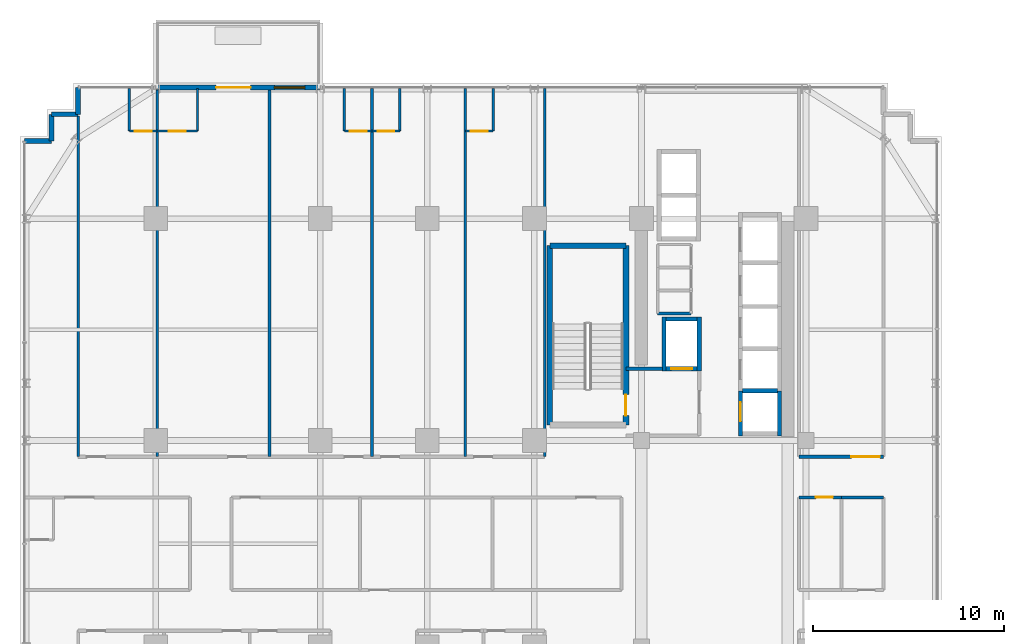
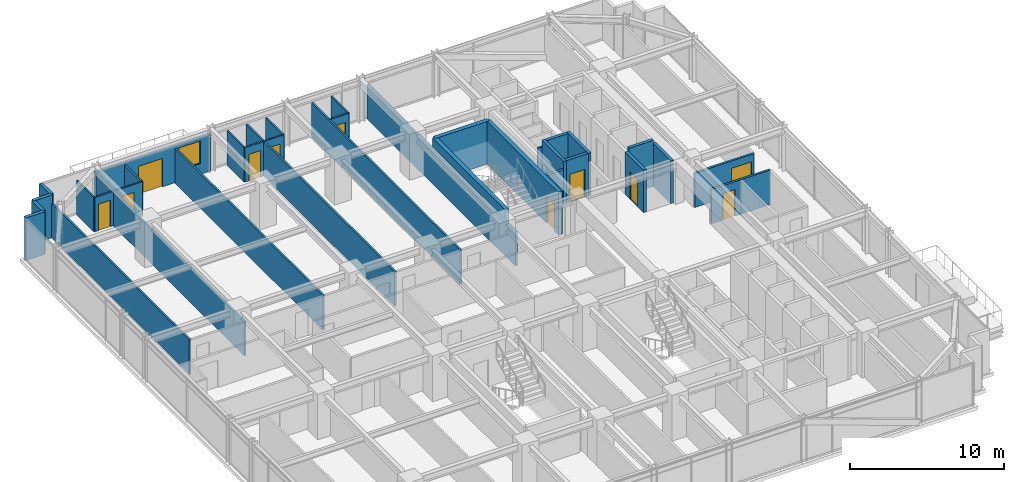
# One storey, part 29 of 34: 36 walls, 11 doors, 1 window, 12 openings.
"""IFC4 building model written with IfcOpenShell, lengths in metres."""

from ifc_helpers import new_model, si_unit, direction, frame, frame_2d, origin, place, context, subcontext, project, spatial, rectangle, extrude, source, transform, mapped, material, layer, layer_set, type_object, element, fill, save


model = new_model("IFC4")

# Units and contexts
model_context = context("Model", 3, precision=1e-05, world=origin(), true_north=direction((0.0, 1.0)))
body_context = subcontext(model_context, "Body", "Model", "MODEL_VIEW")
ifc_project = project(units=[si_unit("LENGTHUNIT", "METRE"), si_unit("AREAUNIT", "SQUARE_METRE"), si_unit("VOLUMEUNIT", "CUBIC_METRE"), si_unit("PLANEANGLEUNIT", "RADIAN"), si_unit("MASSUNIT", "GRAM", prefix="KILO")], contexts=[model_context])

# Site, building, storey
site_placement = place(None, origin())
site = spatial("IfcSite", under=ifc_project, at=site_placement, CompositionType="ELEMENT")
building_placement = place(site_placement, origin())
building = spatial("IfcBuilding", under=site, at=building_placement, Name="Nahalor Promenade Grand Hotel", CompositionType="ELEMENT")
storey_placement = place(building_placement, frame((0.0, 0.0, 99.25)))
storey = spatial("IfcBuildingStorey", under=building, at=storey_placement, Name="L24", CompositionType="ELEMENT", Elevation=99.25)

# Walls
ifc_material_1 = material(Name="Concrete B-50 (C40/50)", Category="concrete")
ifc_layer_1 = layer(ifc_material_1, 0.300048828125)
ifc_layer_set_1 = layer_set([ifc_layer_1], Name="Concrete B-50 (C40/50)")
wall_type_1 = type_object("IfcWallType", Name="Wall-ShaftShear-300", PredefinedType="SHEAR", material=ifc_layer_set_1)
shared_shape_1 = source(origin(), body_context, "Body", "SweptSolid", [
    extrude(rectangle(XDim=3.97998046875, YDim=0.300048828125, at=frame_2d((1.989990234375, 0.0))), origin(), (0.0, 0.0, 1.0), 3.3798828125),
])
wall_1_placement = place(storey_placement, frame((3.610107421875, 15.590087890625, 0.0), z_axis=(0.0, 0.0, 1.0), x_axis=(1.0, 0.0, 0.0)))
element("IfcWall", 1, at=wall_1_placement, inside=storey, type_object=wall_type_1, Name="L24 Exit Stair ST1 Shaft Wall N", PredefinedType="SHEAR", context=body_context, shape_type="MappedRepresentation", body=[
    mapped(shared_shape_1, transform((0.0, 0.0, 0.0), scale=1.0)),
])
shared_shape_2 = source(origin(), body_context, "Body", "SweptSolid", [
    extrude(rectangle(XDim=9.380126953125, YDim=0.300048828125, at=frame_2d((4.68994140625, 0.0))), origin(), (0.0, 0.0, 1.0), 3.3798828125),
])
wall_2_placement = place(storey_placement, frame((3.610107421875, 6.2099609375, 0.0), z_axis=(0.0, 0.0, 1.0), x_axis=(0.0, 1.0, 0.0)))
element("IfcWall", 2, at=wall_2_placement, inside=storey, type_object=wall_type_1, Name="L24 Exit Stair ST1 Shaft Wall W", PredefinedType="SHEAR", context=body_context, shape_type="MappedRepresentation", body=[
    mapped(shared_shape_2, transform((0.0, 0.0, 0.0), scale=1.0)),
])

# Wall, opening, door
wall_3_placement = place(storey_placement, frame((7.590087890625, 6.2099609375, 0.0), z_axis=(0.0, 0.0, 1.0), x_axis=(0.0, 1.0, 0.0)))
wall_3 = element("IfcWall", 3, at=wall_3_placement, inside=storey, type_object=wall_type_1, Name="L24 Exit Stair ST1 Shaft Wall E", PredefinedType="SHEAR", context=body_context, shape_type="MappedRepresentation", body=[
    mapped(shared_shape_2, transform((0.0, 0.0, 0.0), scale=1.0)),
])
opening_1_placement = place(wall_3_placement, frame((0.489990234375, 0.0, 0.0)))
opening_1 = element("IfcOpeningElement", 4, at=opening_1_placement, cuts=wall_3, Name="Opening D-ST1", PredefinedType="OPENING", context=body_context, shape_type="SweptSolid", body=[
    extrude(rectangle(XDim=1.10009765625, YDim=2.14990234375, at=frame_2d((0.550048828125, 1.074951171875))), frame((0.0, 0.159912109375, 0.0), z_axis=(0.0, -1.0, 0.0), x_axis=(1.0, 0.0, 0.0)), (0.0, 0.0, 1.0), 0.320068359375),
])
ifc_material_2 = material(Name="Steel S355JR", Category="steel")
door_type_1 = type_object("IfcDoorType", Name="Door-StairFire-1100", OperationType="NOTDEFINED", PredefinedType="DOOR", material=ifc_material_2)
shared_shape_3 = source(origin(), body_context, "Body", "SweptSolid", [
    extrude(rectangle(XDim=1.10009765625, YDim=2.14990234375, at=frame_2d((0.550048828125, 1.074951171875))), frame((0.0, 0.02490234375, 0.0), z_axis=(0.0, -1.0, 0.0), x_axis=(1.0, 0.0, 0.0)), (0.0, 0.0, 1.0), 0.050048828125),
])
door_1_placement = place(opening_1_placement, origin())
door_1 = element("IfcDoor", 5, at=door_1_placement, inside=storey, type_object=door_type_1, Name="DR-STAIR-ST1-L24", OperationType="SINGLE_SWING_LEFT", OverallHeight=2.14990234375, OverallWidth=1.10009765625, PredefinedType="DOOR", context=body_context, shape_type="MappedRepresentation", body=[
    mapped(shared_shape_3, transform((0.0, 0.0, 0.0), scale=1.0)),
])
fill(opening_1, door_1)

# Wall
ifc_layer_2 = layer(ifc_material_1, 0.219970703125)
ifc_layer_set_2 = layer_set([ifc_layer_2], Name="Concrete B-50 (C40/50)")
wall_type_2 = type_object("IfcWallType", Name="Wall-LiftShaft-220", PredefinedType="SHEAR", material=ifc_layer_set_2)
shared_shape_4 = source(origin(), body_context, "Body", "SweptSolid", [
    extrude(rectangle(XDim=1.820068359375, YDim=0.219970703125, at=frame_2d((0.91015625, 0.0))), origin(), (0.0, 0.0, 1.0), 3.64990234375),
])
wall_4_placement = place(storey_placement, frame((13.68994140625, 8.0, 0.0), z_axis=(0.0, 0.0, 1.0), x_axis=(1.0, 0.0, 0.0)))
element("IfcWall", 6, at=wall_4_placement, inside=storey, type_object=wall_type_2, Name="L24 Lift PL1 Hoistway Wall N", PredefinedType="SHEAR", context=body_context, shape_type="MappedRepresentation", body=[
    mapped(shared_shape_4, transform((0.0, 0.0, 0.0), scale=1.0)),
])

# Wall, opening, door
shared_shape_5 = source(origin(), body_context, "Body", "SweptSolid", [
    extrude(rectangle(XDim=2.360107421875, YDim=0.219970703125, at=frame_2d((1.18017578125, 0.0))), origin(), (0.0, 0.0, 1.0), 3.3798828125),
])
wall_5_placement = place(storey_placement, frame((13.580078125, 5.639892578125, 0.0), z_axis=(0.0, 0.0, 1.0), x_axis=(0.0, 1.0, 0.0)))
wall_5 = element("IfcWall", 7, at=wall_5_placement, inside=storey, type_object=wall_type_2, Name="L24 Lift PL1 Hoistway Wall W", PredefinedType="SHEAR", context=body_context, shape_type="MappedRepresentation", body=[
    mapped(shared_shape_5, transform((0.0, 0.0, 0.0), scale=1.0)),
])
opening_2_placement = place(wall_5_placement, frame((0.760009765625, 0.0, 0.0)))
opening_2 = element("IfcOpeningElement", 8, at=opening_2_placement, cuts=wall_5, Name="Opening LD-01", PredefinedType="OPENING", context=body_context, shape_type="SweptSolid", body=[
    extrude(rectangle(XDim=1.0, YDim=2.199951171875, at=frame_2d((0.5, 1.10009765625))), frame((0.0, 0.119873046875, 0.0), z_axis=(0.0, -1.0, 0.0), x_axis=(1.0, 0.0, 0.0)), (0.0, 0.0, 1.0), 0.239990234375),
])
door_type_2 = type_object("IfcDoorType", Name="Door-LiftLanding-1000", OperationType="DOUBLE_DOOR_SLIDING", PredefinedType="DOOR", material=ifc_material_2)
shared_shape_6 = source(origin(), body_context, "Body", "SweptSolid", [
    extrude(rectangle(XDim=1.0, YDim=2.199951171875, at=frame_2d((0.5, 1.10009765625))), frame((0.0, 0.02490234375, 0.0), z_axis=(0.0, -1.0, 0.0), x_axis=(1.0, 0.0, 0.0)), (0.0, 0.0, 1.0), 0.050048828125),
])
door_2_placement = place(opening_2_placement, origin())
door_2 = element("IfcDoor", 9, at=door_2_placement, inside=storey, type_object=door_type_2, Name="DR-LIFT-PL1-L24", OperationType="DOUBLE_DOOR_SLIDING", OverallHeight=2.199951171875, OverallWidth=1.0, PredefinedType="DOOR", context=body_context, shape_type="MappedRepresentation", body=[
    mapped(shared_shape_6, transform((0.0, 0.0, 0.0), scale=1.0)),
])
fill(opening_2, door_2)

# Walls
wall_6_placement = place(storey_placement, frame((15.6201171875, 5.639892578125, 0.0), z_axis=(0.0, 0.0, 1.0), x_axis=(0.0, 1.0, 0.0)))
element("IfcWall", 10, at=wall_6_placement, inside=storey, type_object=wall_type_2, Name="L24 Lift PL1 Hoistway Wall E", PredefinedType="SHEAR", context=body_context, shape_type="MappedRepresentation", body=[
    mapped(shared_shape_5, transform((0.0, 0.0, 0.0), scale=1.0)),
])
shared_shape_7 = source(origin(), body_context, "Body", "SweptSolid", [
    extrude(rectangle(XDim=2.820068359375, YDim=0.219970703125, at=frame_2d((1.41015625, 0.0))), origin(), (0.0, 0.0, 1.0), 3.3798828125),
])
for number, where, z_axis, x_axis, name in (
    (11, (9.580078125, 9.0400390625, 0.0), (0.0, 0.0, 1.0), (0.0, 1.0, 0.0), "L24 Lift FL1 Hoistway Wall W"),
    (12, (11.419921875, 9.0400390625, 0.0), (0.0, 0.0, 1.0), (0.0, 1.0, 0.0), "L24 Lift FL1 Hoistway Wall E"),
):
    element("IfcWall", number, at=place(storey_placement, frame(where, z_axis=z_axis, x_axis=x_axis)), inside=storey, type_object=wall_type_2, Name=name, PredefinedType="SHEAR", context=body_context, shape_type="MappedRepresentation", body=[
        mapped(shared_shape_7, transform((0.0, 0.0, 0.0), scale=1.0)),
    ])

# Wall, opening, door
shared_shape_8 = source(origin(), body_context, "Body", "SweptSolid", [
    extrude(rectangle(XDim=1.6201171875, YDim=0.219970703125, at=frame_2d((0.81005859375, 0.0))), origin(), (0.0, 0.0, 1.0), 3.3798828125),
])
wall_7_placement = place(storey_placement, frame((9.68994140625, 9.14990234375, 0.0), z_axis=(0.0, 0.0, 1.0), x_axis=(1.0, 0.0, 0.0)))
wall_7 = element("IfcWall", 13, at=wall_7_placement, inside=storey, type_object=wall_type_2, Name="L24 Lift FL1 Hoistway Wall S", PredefinedType="SHEAR", context=body_context, shape_type="MappedRepresentation", body=[
    mapped(shared_shape_8, transform((0.0, 0.0, 0.0), scale=1.0)),
])
opening_3_placement = place(wall_7_placement, frame((0.260009765625, 0.0, 0.0)))
opening_3 = element("IfcOpeningElement", 14, at=opening_3_placement, cuts=wall_7, Name="Opening LD-02", PredefinedType="OPENING", context=body_context, shape_type="SweptSolid", body=[
    extrude(rectangle(XDim=1.10009765625, YDim=2.199951171875, at=frame_2d((0.550048828125, 1.10009765625))), frame((0.0, 0.119873046875, 0.0), z_axis=(0.0, -1.0, 0.0), x_axis=(1.0, 0.0, 0.0)), (0.0, 0.0, 1.0), 0.239990234375),
])
door_type_3 = type_object("IfcDoorType", Name="Door-LiftFF-1100", OperationType="DOUBLE_DOOR_SLIDING", PredefinedType="DOOR", material=ifc_material_2)
shared_shape_9 = source(origin(), body_context, "Body", "SweptSolid", [
    extrude(rectangle(XDim=1.10009765625, YDim=2.199951171875, at=frame_2d((0.550048828125, 1.10009765625))), frame((0.0, 0.02490234375, 0.0), z_axis=(0.0, -1.0, 0.0), x_axis=(1.0, 0.0, 0.0)), (0.0, 0.0, 1.0), 0.050048828125),
])
door_3_placement = place(opening_3_placement, frame((1.10009765625, 0.0, 0.0), z_axis=(0.0, 0.0, 1.0), x_axis=(-1.0, 0.0, 0.0)))
door_3 = element("IfcDoor", 15, at=door_3_placement, inside=storey, type_object=door_type_3, Name="DR-LIFT-FL1-L24", OperationType="DOUBLE_DOOR_SLIDING", OverallHeight=2.199951171875, OverallWidth=1.10009765625, PredefinedType="DOOR", context=body_context, shape_type="MappedRepresentation", body=[
    mapped(shared_shape_9, transform((0.0, 0.0, 0.0), scale=1.0)),
])
fill(opening_3, door_3)

# Walls
wall_8_placement = place(storey_placement, frame((9.68994140625, 11.75, 0.0), z_axis=(0.0, 0.0, 1.0), x_axis=(1.0, 0.0, 0.0)))
element("IfcWall", 16, at=wall_8_placement, inside=storey, type_object=wall_type_2, Name="L24 Lift FL1 Hoistway Wall N", PredefinedType="SHEAR", context=body_context, shape_type="MappedRepresentation", body=[
    mapped(shared_shape_8, transform((0.0, 0.0, 0.0), scale=1.0)),
])
ifc_material_3 = material(Name="Concrete B-40 (C32/40)", Category="concrete")
ifc_layer_3 = layer(ifc_material_3, 0.25)
ifc_layer_set_3 = layer_set([ifc_layer_3], Name="Concrete B-40 (C32/40)")
wall_type_3 = type_object("IfcWallType", Name="Wall-BronzePier-250", PredefinedType="STANDARD", material=ifc_layer_set_3)
shared_shape_10 = source(origin(), body_context, "Body", "SweptSolid", [
    extrude(rectangle(XDim=1.400146484375, YDim=0.25, at=frame_2d((0.7001953125, 0.0))), origin(), (0.0, 0.0, 1.0), 3.3798828125),
])
for number, where, z_axis, x_axis, name in (
    (17, (-21.06005859375, 22.4599609375, 0.0), (0.0, 0.0, 1.0), (0.0, 1.0, 0.0), "W-L24-SR-09"),
    (18, (-23.860107421875, 21.06005859375, 0.0), (0.0, 0.0, 1.0), (1.0, 0.0, 0.0), "W-L24-SR-12"),
):
    element("IfcWall", number, at=place(storey_placement, frame(where, z_axis=z_axis, x_axis=x_axis)), inside=storey, type_object=wall_type_3, Name=name, PredefinedType="STANDARD", context=body_context, shape_type="MappedRepresentation", body=[
        mapped(shared_shape_10, transform((0.0, 0.0, 0.0), scale=1.0)),
    ])
shared_shape_11 = source(origin(), body_context, "Body", "SweptSolid", [
    extrude(rectangle(XDim=1.39990234375, YDim=0.25, at=frame_2d((0.699951171875, 0.0))), origin(), (0.0, 0.0, 1.0), 3.3798828125),
])
for number, where, z_axis, x_axis, name in (
    (19, (-22.4599609375, 22.4599609375, 0.0), (0.0, 0.0, 1.0), (1.0, 0.0, 0.0), "W-L24-SR-10"),
    (20, (-22.4599609375, 21.06005859375, 0.0), (0.0, 0.0, 1.0), (0.0, 1.0, 0.0), "W-L24-SR-11"),
):
    element("IfcWall", number, at=place(storey_placement, frame(where, z_axis=z_axis, x_axis=x_axis)), inside=storey, type_object=wall_type_3, Name=name, PredefinedType="STANDARD", context=body_context, shape_type="MappedRepresentation", body=[
        mapped(shared_shape_11, transform((0.0, 0.0, 0.0), scale=1.0)),
    ])

# Wall, openings, door, window
ifc_layer_4 = layer(ifc_material_3, 0.260009765625)
ifc_layer_set_4 = layer_set([ifc_layer_4], Name="Concrete B-40 (C32/40)")
wall_type_4 = type_object("IfcWallType", Name="Wall-BalconyWall-260", PredefinedType="STANDARD", material=ifc_layer_set_4)
shared_shape_12 = source(origin(), body_context, "Body", "SweptSolid", [
    extrude(rectangle(XDim=8.60009765625, YDim=0.260009765625, at=frame_2d((4.300048828125, 0.0))), origin(), (0.0, 0.0, 1.0), 2.860107421875),
])
wall_9_placement = place(storey_placement, frame((-17.0, 23.860107421875, 0.0), z_axis=(0.0, 0.0, 1.0), x_axis=(1.0, 0.0, 0.0)))
wall_9 = element("IfcWall", 21, at=wall_9_placement, inside=storey, type_object=wall_type_4, Name="W-L24-BALC-N-2", PredefinedType="STANDARD", context=body_context, shape_type="MappedRepresentation", body=[
    mapped(shared_shape_12, transform((0.0, 0.0, 0.0), scale=1.0)),
])
opening_4_placement = place(wall_9_placement, frame((3.162109375, 0.0, 0.0)))
opening_4 = element("IfcOpeningElement", 22, at=opening_4_placement, cuts=wall_9, Name="Opening D-BC1", PredefinedType="OPENING", context=body_context, shape_type="SweptSolid", body=[
    extrude(rectangle(XDim=1.800048828125, YDim=2.25, at=frame_2d((0.89990234375, 1.125))), frame((0.0, 0.139892578125, 0.0), z_axis=(0.0, -1.0, 0.0), x_axis=(1.0, 0.0, 0.0)), (0.0, 0.0, 1.0), 0.280029296875),
])
opening_5_placement = place(wall_9_placement, frame((6.197021484375, 0.0, 0.85009765625)))
opening_5 = element("IfcOpeningElement", 23, at=opening_5_placement, cuts=wall_9, Name="Opening WN-03", PredefinedType="OPENING", context=body_context, shape_type="SweptSolid", body=[
    extrude(rectangle(XDim=1.60009765625, YDim=1.800048828125, at=frame_2d((0.800048828125, 0.89990234375))), frame((0.0, 0.139892578125, 0.0), z_axis=(0.0, -1.0, 0.0), x_axis=(1.0, 0.0, 0.0)), (0.0, 0.0, 1.0), 0.280029296875),
])
ifc_material_4 = material(Name="Anodised Bronze Aluminium EN AW-6063 T6", Category="aluminium")
door_type_4 = type_object("IfcDoorType", Name="Door-BalconySlide-1800", OperationType="DOUBLE_DOOR_SLIDING", PredefinedType="DOOR", material=ifc_material_4)
shared_shape_13 = source(origin(), body_context, "Body", "SweptSolid", [
    extrude(rectangle(XDim=1.800048828125, YDim=2.25, at=frame_2d((0.89990234375, 1.125))), frame((0.0, 0.02490234375, 0.0), z_axis=(0.0, -1.0, 0.0), x_axis=(1.0, 0.0, 0.0)), (0.0, 0.0, 1.0), 0.050048828125),
])
door_4_placement = place(opening_4_placement, origin())
door_4 = element("IfcDoor", 24, at=door_4_placement, inside=storey, type_object=door_type_4, Name="DR-L24-BALC-N-2", OperationType="DOUBLE_DOOR_SLIDING", OverallHeight=2.25, OverallWidth=1.800048828125, PredefinedType="DOOR", context=body_context, shape_type="MappedRepresentation", body=[
    mapped(shared_shape_13, transform((0.0, 0.0, 0.0), scale=1.0)),
])
fill(opening_4, door_4)
ifc_material_5 = material(Name="Low-E Laminated Solar Glass", Category="glass")
window_type = type_object("IfcWindowType", Name="Win-CrownVented-1600x1800", PartitioningType="SINGLE_PANEL", PredefinedType="WINDOW", material=ifc_material_5)
shared_shape_14 = source(origin(), body_context, "Body", "SweptSolid", [
    extrude(rectangle(XDim=1.60009765625, YDim=1.800048828125, at=frame_2d((0.800048828125, 0.89990234375))), frame((0.0, 0.030029296875, 0.0), z_axis=(0.0, -1.0, 0.0), x_axis=(1.0, 0.0, 0.0)), (0.0, 0.0, 1.0), 0.06005859375),
])
window_placement = place(opening_5_placement, origin())
window = element("IfcWindow", 25, at=window_placement, inside=storey, type_object=window_type, Name="WN-L24-BALC-N-2-1", OverallHeight=1.800048828125, OverallWidth=1.60009765625, PartitioningType="SINGLE_PANEL", PredefinedType="WINDOW", context=body_context, shape_type="MappedRepresentation", body=[
    mapped(shared_shape_14, transform((0.0, 0.0, 0.0), scale=1.0)),
])
fill(opening_5, window)

# Walls
ifc_layer_5 = layer(ifc_material_3, 0.199951171875)
ifc_layer_set_5 = layer_set([ifc_layer_5], Name="Concrete B-40 (C32/40)")
wall_type_5 = type_object("IfcWallType", Name="Wall-PartFire-200", PredefinedType="PARTITIONING", material=ifc_layer_set_5)
shared_shape_15 = source(origin(), body_context, "Body", "SweptSolid", [
    extrude(rectangle(XDim=1.89990234375, YDim=0.199951171875, at=frame_2d((0.949951171875, 0.0))), origin(), (0.0, 0.0, 1.0), 2.719970703125),
])
wall_10_placement = place(storey_placement, frame((7.60009765625, 9.14990234375, 0.0), z_axis=(0.0, 0.0, 1.0), x_axis=(1.0, 0.0, 0.0)))
element("IfcWall", 26, at=wall_10_placement, inside=storey, type_object=wall_type_5, Name="W-L24-FF1-N", PredefinedType="PARTITIONING", context=body_context, shape_type="MappedRepresentation", body=[
    mapped(shared_shape_15, transform((0.0, 0.0, 0.0), scale=1.0)),
])
ifc_material_6 = material(Name="Acoustic Mineral Gypsum", Category="gypsum")
ifc_layer_6 = layer(ifc_material_6, 0.14990234375)
ifc_layer_set_6 = layer_set([ifc_layer_6], Name="Acoustic Mineral Gypsum")
wall_type_6 = type_object("IfcWallType", Name="Wall-PartService-150", PredefinedType="PARTITIONING", material=ifc_layer_set_6)
shared_shape_16 = source(origin(), body_context, "Body", "SweptSolid", [
    extrude(rectangle(XDim=1.75, YDim=0.14990234375, at=frame_2d((0.875, 0.0))), origin(), (0.0, 0.0, 1.0), 2.719970703125),
])
wall_11_placement = place(storey_placement, frame((9.25, 12.050048828125, 0.0), z_axis=(0.0, 0.0, 1.0), x_axis=(1.0, 0.0, 0.0)))
element("IfcWall", 27, at=wall_11_placement, inside=storey, type_object=wall_type_6, Name="W-L24-CK3A-S", PredefinedType="PARTITIONING", context=body_context, shape_type="MappedRepresentation", body=[
    mapped(shared_shape_16, transform((0.0, 0.0, 0.0), scale=1.0)),
])

# Wall, opening, door
ifc_layer_7 = layer(ifc_material_6, 0.159912109375)
ifc_layer_set_7 = layer_set([ifc_layer_7], Name="Acoustic Mineral Gypsum")
wall_type_7 = type_object("IfcWallType", Name="Wall-PartCorridor-160", PredefinedType="PARTITIONING", material=ifc_layer_set_7)
shared_shape_17 = source(origin(), body_context, "Body", "SweptSolid", [
    extrude(rectangle(XDim=4.41015625, YDim=0.159912109375, at=frame_2d((2.205078125, 0.0))), origin(), (0.0, 0.0, 1.0), 2.719970703125),
])
wall_12_placement = place(storey_placement, frame((16.64990234375, 4.550048828125, 0.0), z_axis=(0.0, 0.0, 1.0), x_axis=(1.0, 0.0, 0.0)))
wall_12 = element("IfcWall", 28, at=wall_12_placement, inside=storey, type_object=wall_type_7, Name="W-L24-ENE-S", PredefinedType="PARTITIONING", context=body_context, shape_type="MappedRepresentation", body=[
    mapped(shared_shape_17, transform((0.0, 0.0, 0.0), scale=1.0)),
])
opening_6_placement = place(wall_12_placement, frame((2.721923828125, 0.0, 0.0)))
opening_6 = element("IfcOpeningElement", 29, at=opening_6_placement, cuts=wall_12, Name="Opening D-02", PredefinedType="OPENING", context=body_context, shape_type="SweptSolid", body=[
    extrude(rectangle(XDim=1.5, YDim=2.14990234375, at=frame_2d((0.75, 1.074951171875))), frame((0.0, 0.08984375, 0.0), z_axis=(0.0, -1.0, 0.0), x_axis=(1.0, 0.0, 0.0)), (0.0, 0.0, 1.0), 0.179931640625),
])
ifc_material_7 = material(Name="Fire-Rated Timber Composite", Category="wood")
door_type_5 = type_object("IfcDoorType", Name="Door-SuiteDouble-1500", OperationType="DOUBLE_DOOR_SINGLE_SWING", PredefinedType="DOOR", material=ifc_material_7)
shared_shape_18 = source(origin(), body_context, "Body", "SweptSolid", [
    extrude(rectangle(XDim=1.5, YDim=2.14990234375, at=frame_2d((0.75, 1.074951171875))), frame((0.0, 0.02490234375, 0.0), z_axis=(0.0, -1.0, 0.0), x_axis=(1.0, 0.0, 0.0)), (0.0, 0.0, 1.0), 0.050048828125),
])
door_5_placement = place(opening_6_placement, origin())
door_5 = element("IfcDoor", 30, at=door_5_placement, inside=storey, type_object=door_type_5, Name="DR-L24-ENE", OperationType="DOUBLE_DOOR_SINGLE_SWING", OverallHeight=2.14990234375, OverallWidth=1.5, PredefinedType="DOOR", context=body_context, shape_type="MappedRepresentation", body=[
    mapped(shared_shape_18, transform((0.0, 0.0, 0.0), scale=1.0)),
])
fill(opening_6, door_5)

# Walls
ifc_layer_8 = layer(ifc_material_6, 0.139892578125)
ifc_layer_set_8 = layer_set([ifc_layer_8], Name="Acoustic Mineral Gypsum")
wall_type_8 = type_object("IfcWallType", Name="Wall-PartSuite-140", PredefinedType="PARTITIONING", material=ifc_layer_set_8)
shared_shape_19 = source(origin(), body_context, "Body", "SweptSolid", [
    extrude(rectangle(XDim=17.829833984375, YDim=0.139892578125, at=frame_2d((8.9150390625, 0.0))), origin(), (0.0, 0.0, 1.0), 2.719970703125),
])
wall_13_placement = place(storey_placement, frame((-21.06005859375, 4.550048828125, 0.0), z_axis=(0.0, 0.0, 1.0), x_axis=(0.0, 1.0, 0.0)))
element("IfcWall", 31, at=wall_13_placement, inside=storey, type_object=wall_type_8, Name="W-L24-NW-ENDW", PredefinedType="PARTITIONING", context=body_context, shape_type="MappedRepresentation", body=[
    mapped(shared_shape_19, transform((0.0, 0.0, 0.0), scale=1.0)),
])
shared_shape_20 = source(origin(), body_context, "Body", "SweptSolid", [
    extrude(rectangle(XDim=19.25, YDim=0.139892578125, at=frame_2d((9.625, 0.0))), origin(), (0.0, 0.0, 1.0), 2.719970703125),
])
for number, where, z_axis, x_axis, name in (
    (32, (3.340087890625, 4.550048828125, 0.0), (0.0, 0.0, 1.0), (0.0, 1.0, 0.0), "W-L24-NW-ENDE"),
    (33, (-16.929931640625, 4.550048828125, 0.0), (0.0, 0.0, 1.0), (0.0, 1.0, 0.0), "W-L24-NP-1"),
    (34, (-11.055908203125, 4.550048828125, 0.0), (0.0, 0.0, 1.0), (0.0, 1.0, 0.0), "W-L24-NP-2"),
    (35, (-5.68798828125, 4.550048828125, 0.0), (0.0, 0.0, 1.0), (0.0, 1.0, 0.0), "W-L24-NP-3"),
    (36, (-0.80810546875, 4.550048828125, 0.0), (0.0, 0.0, 1.0), (0.0, 1.0, 0.0), "W-L24-NP-4"),
):
    element("IfcWall", number, at=place(storey_placement, frame(where, z_axis=z_axis, x_axis=x_axis)), inside=storey, type_object=wall_type_8, Name=name, PredefinedType="PARTITIONING", context=body_context, shape_type="MappedRepresentation", body=[
        mapped(shared_shape_20, transform((0.0, 0.0, 0.0), scale=1.0)),
    ])

# Wall, opening, door
ifc_layer_9 = layer(ifc_material_6, 0.1201171875)
ifc_layer_set_9 = layer_set([ifc_layer_9], Name="Acoustic Mineral Gypsum")
wall_type_9 = type_object("IfcWallType", Name="Wall-PartBath-120", PredefinedType="PARTITIONING", material=ifc_layer_set_9)
shared_shape_21 = source(origin(), body_context, "Body", "SweptSolid", [
    extrude(rectangle(XDim=1.4501953125, YDim=0.1201171875, at=frame_2d((0.72509765625, 0.0))), origin(), (0.0, 0.0, 1.0), 2.719970703125),
])
wall_14_placement = place(storey_placement, frame((-0.80810546875, 21.580078125, 0.0), z_axis=(0.0, 0.0, 1.0), x_axis=(1.0, 0.0, 0.0)))
wall_14 = element("IfcWall", 37, at=wall_14_placement, inside=storey, type_object=wall_type_9, Name="W-L24-N5-BH", PredefinedType="PARTITIONING", context=body_context, shape_type="MappedRepresentation", body=[
    mapped(shared_shape_21, transform((0.0, 0.0, 0.0), scale=1.0)),
])
opening_7_placement = place(wall_14_placement, frame((0.284912109375, 0.0, 0.0)))
opening_7 = element("IfcOpeningElement", 38, at=opening_7_placement, cuts=wall_14, Name="Opening D-03", PredefinedType="OPENING", context=body_context, shape_type="SweptSolid", body=[
    extrude(rectangle(XDim=0.8798828125, YDim=2.10009765625, at=frame_2d((0.43994140625, 1.050048828125))), frame((0.0, 0.070068359375, 0.0), z_axis=(0.0, -1.0, 0.0), x_axis=(1.0, 0.0, 0.0)), (0.0, 0.0, 1.0), 0.14013671875),
])
door_type_6 = type_object("IfcDoorType", Name="Door-BathSwing-880", OperationType="NOTDEFINED", PredefinedType="DOOR", material=ifc_material_7)
shared_shape_22 = source(origin(), body_context, "Body", "SweptSolid", [
    extrude(rectangle(XDim=0.8798828125, YDim=2.10009765625, at=frame_2d((0.43994140625, 1.050048828125))), frame((0.0, 0.02490234375, 0.0), z_axis=(0.0, -1.0, 0.0), x_axis=(1.0, 0.0, 0.0)), (0.0, 0.0, 1.0), 0.050048828125),
])
door_6_placement = place(opening_7_placement, origin())
door_6 = element("IfcDoor", 39, at=door_6_placement, inside=storey, type_object=door_type_6, Name="DR-L24-N5-BATH", OperationType="SINGLE_SWING_RIGHT", OverallHeight=2.10009765625, OverallWidth=0.8798828125, PredefinedType="DOOR", context=body_context, shape_type="MappedRepresentation", body=[
    mapped(shared_shape_22, transform((0.0, 0.0, 0.0), scale=1.0)),
])
fill(opening_7, door_6)

# Walls
shared_shape_23 = source(origin(), body_context, "Body", "SweptSolid", [
    extrude(rectangle(XDim=2.219970703125, YDim=0.1201171875, at=frame_2d((1.10986328125, 0.0))), origin(), (0.0, 0.0, 1.0), 2.719970703125),
])
for number, where, z_axis, x_axis, name in (
    (40, (-18.3798828125, 21.580078125, 0.0), (0.0, 0.0, 1.0), (0.0, 1.0, 0.0), "W-L24-N1-BV"),
    (41, (-14.820068359375, 21.580078125, 0.0), (0.0, 0.0, 1.0), (0.0, 1.0, 0.0), "W-L24-N2-BV"),
    (42, (-7.137939453125, 21.580078125, 0.0), (0.0, 0.0, 1.0), (0.0, 1.0, 0.0), "W-L24-N3-BV"),
    (43, (-4.238037109375, 21.580078125, 0.0), (0.0, 0.0, 1.0), (0.0, 1.0, 0.0), "W-L24-N4-BV"),
    (44, (0.64208984375, 21.580078125, 0.0), (0.0, 0.0, 1.0), (0.0, 1.0, 0.0), "W-L24-N5-BV"),
):
    element("IfcWall", number, at=place(storey_placement, frame(where, z_axis=z_axis, x_axis=x_axis)), inside=storey, type_object=wall_type_9, Name=name, PredefinedType="PARTITIONING", context=body_context, shape_type="MappedRepresentation", body=[
        mapped(shared_shape_23, transform((0.0, 0.0, 0.0), scale=1.0)),
    ])

# Wall, opening, door
shared_shape_24 = source(origin(), body_context, "Body", "SweptSolid", [
    extrude(rectangle(XDim=1.449951171875, YDim=0.1201171875, at=frame_2d((0.72509765625, 0.0))), origin(), (0.0, 0.0, 1.0), 2.719970703125),
])
wall_15_placement = place(storey_placement, frame((-18.3798828125, 21.580078125, 0.0), z_axis=(0.0, 0.0, 1.0), x_axis=(1.0, 0.0, 0.0)))
wall_15 = element("IfcWall", 45, at=wall_15_placement, inside=storey, type_object=wall_type_9, Name="W-L24-N1-BH", PredefinedType="PARTITIONING", context=body_context, shape_type="MappedRepresentation", body=[
    mapped(shared_shape_24, transform((0.0, 0.0, 0.0), scale=1.0)),
])
opening_8_placement = place(wall_15_placement, frame((0.284912109375, 0.0, 0.0)))
opening_8 = element("IfcOpeningElement", 46, at=opening_8_placement, cuts=wall_15, Name="Opening D-03", PredefinedType="OPENING", context=body_context, shape_type="SweptSolid", body=[
    extrude(rectangle(XDim=0.8798828125, YDim=2.10009765625, at=frame_2d((0.43994140625, 1.050048828125))), frame((0.0, 0.070068359375, 0.0), z_axis=(0.0, -1.0, 0.0), x_axis=(1.0, 0.0, 0.0)), (0.0, 0.0, 1.0), 0.14013671875),
])
door_7_placement = place(opening_8_placement, origin())
door_7 = element("IfcDoor", 47, at=door_7_placement, inside=storey, type_object=door_type_6, Name="DR-L24-N1-BATH", OperationType="SINGLE_SWING_RIGHT", OverallHeight=2.10009765625, OverallWidth=0.8798828125, PredefinedType="DOOR", context=body_context, shape_type="MappedRepresentation", body=[
    mapped(shared_shape_22, transform((0.0, 0.0, 0.0), scale=1.0)),
])
fill(opening_8, door_7)

wall_16_placement = place(storey_placement, frame((-7.137939453125, 21.580078125, 0.0), z_axis=(0.0, 0.0, 1.0), x_axis=(1.0, 0.0, 0.0)))
wall_16 = element("IfcWall", 48, at=wall_16_placement, inside=storey, type_object=wall_type_9, Name="W-L24-N3-BH", PredefinedType="PARTITIONING", context=body_context, shape_type="MappedRepresentation", body=[
    mapped(shared_shape_24, transform((0.0, 0.0, 0.0), scale=1.0)),
])
opening_9_placement = place(wall_16_placement, frame((0.284912109375, 0.0, 0.0)))
opening_9 = element("IfcOpeningElement", 49, at=opening_9_placement, cuts=wall_16, Name="Opening D-03", PredefinedType="OPENING", context=body_context, shape_type="SweptSolid", body=[
    extrude(rectangle(XDim=0.8798828125, YDim=2.10009765625, at=frame_2d((0.43994140625, 1.050048828125))), frame((0.0, 0.070068359375, 0.0), z_axis=(0.0, -1.0, 0.0), x_axis=(1.0, 0.0, 0.0)), (0.0, 0.0, 1.0), 0.14013671875),
])
door_8_placement = place(opening_9_placement, origin())
door_8 = element("IfcDoor", 50, at=door_8_placement, inside=storey, type_object=door_type_6, Name="DR-L24-N3-BATH", OperationType="SINGLE_SWING_RIGHT", OverallHeight=2.10009765625, OverallWidth=0.8798828125, PredefinedType="DOOR", context=body_context, shape_type="MappedRepresentation", body=[
    mapped(shared_shape_22, transform((0.0, 0.0, 0.0), scale=1.0)),
])
fill(opening_9, door_8)

wall_17_placement = place(storey_placement, frame((-5.68798828125, 21.580078125, 0.0), z_axis=(0.0, 0.0, 1.0), x_axis=(1.0, 0.0, 0.0)))
wall_17 = element("IfcWall", 51, at=wall_17_placement, inside=storey, type_object=wall_type_9, Name="W-L24-N4-BH", PredefinedType="PARTITIONING", context=body_context, shape_type="MappedRepresentation", body=[
    mapped(shared_shape_24, transform((0.0, 0.0, 0.0), scale=1.0)),
])
opening_10_placement = place(wall_17_placement, frame((0.284912109375, 0.0, 0.0)))
opening_10 = element("IfcOpeningElement", 52, at=opening_10_placement, cuts=wall_17, Name="Opening D-03", PredefinedType="OPENING", context=body_context, shape_type="SweptSolid", body=[
    extrude(rectangle(XDim=0.8798828125, YDim=2.10009765625, at=frame_2d((0.43994140625, 1.050048828125))), frame((0.0, 0.070068359375, 0.0), z_axis=(0.0, -1.0, 0.0), x_axis=(1.0, 0.0, 0.0)), (0.0, 0.0, 1.0), 0.14013671875),
])
door_9_placement = place(opening_10_placement, origin())
door_9 = element("IfcDoor", 53, at=door_9_placement, inside=storey, type_object=door_type_6, Name="DR-L24-N4-BATH", OperationType="SINGLE_SWING_RIGHT", OverallHeight=2.10009765625, OverallWidth=0.8798828125, PredefinedType="DOOR", context=body_context, shape_type="MappedRepresentation", body=[
    mapped(shared_shape_22, transform((0.0, 0.0, 0.0), scale=1.0)),
])
fill(opening_10, door_9)

shared_shape_25 = source(origin(), body_context, "Body", "SweptSolid", [
    extrude(rectangle(XDim=2.205078125, YDim=0.159912109375, at=frame_2d((1.1025390625, 0.0))), origin(), (0.0, 0.0, 1.0), 2.719970703125),
])
wall_18_placement = place(storey_placement, frame((16.64990234375, 2.419921875, 0.0), z_axis=(0.0, 0.0, 1.0), x_axis=(1.0, 0.0, 0.0)))
wall_18 = element("IfcWall", 54, at=wall_18_placement, inside=storey, type_object=wall_type_7, Name="W-L24-ECW1-N", PredefinedType="PARTITIONING", context=body_context, shape_type="MappedRepresentation", body=[
    mapped(shared_shape_25, transform((0.0, 0.0, 0.0), scale=1.0)),
])
opening_11_placement = place(wall_18_placement, frame((0.875, 0.0, 0.0)))
opening_11 = element("IfcOpeningElement", 55, at=opening_11_placement, cuts=wall_18, Name="Opening D-03", PredefinedType="OPENING", context=body_context, shape_type="SweptSolid", body=[
    extrude(rectangle(XDim=0.8798828125, YDim=2.10009765625, at=frame_2d((0.43994140625, 1.050048828125))), frame((0.0, 0.08984375, 0.0), z_axis=(0.0, -1.0, 0.0), x_axis=(1.0, 0.0, 0.0)), (0.0, 0.0, 1.0), 0.179931640625),
])
door_10_placement = place(opening_11_placement, frame((0.8798828125, 0.0, 0.0), z_axis=(0.0, 0.0, 1.0), x_axis=(-1.0, 0.0, 0.0)))
door_10 = element("IfcDoor", 56, at=door_10_placement, inside=storey, type_object=door_type_6, Name="DR-L24-ECW1", OperationType="SINGLE_SWING_RIGHT", OverallHeight=2.10009765625, OverallWidth=0.8798828125, PredefinedType="DOOR", context=body_context, shape_type="MappedRepresentation", body=[
    mapped(shared_shape_22, transform((0.0, 0.0, 0.0), scale=1.0)),
])
fill(opening_11, door_10)

# Wall
wall_19_placement = place(storey_placement, frame((18.85498046875, 2.419921875, 0.0), z_axis=(0.0, 0.0, 1.0), x_axis=(1.0, 0.0, 0.0)))
element("IfcWall", 57, at=wall_19_placement, inside=storey, type_object=wall_type_7, Name="W-L24-ECW2-N", PredefinedType="PARTITIONING", context=body_context, shape_type="MappedRepresentation", body=[
    mapped(shared_shape_25, transform((0.0, 0.0, 0.0), scale=1.0)),
])

# Wall, opening, door
shared_shape_26 = source(origin(), body_context, "Body", "SweptSolid", [
    extrude(rectangle(XDim=2.10986328125, YDim=0.1201171875, at=frame_2d((1.054931640625, 0.0))), origin(), (0.0, 0.0, 1.0), 2.719970703125),
])
wall_20_placement = place(storey_placement, frame((-16.929931640625, 21.580078125, 0.0), z_axis=(0.0, 0.0, 1.0), x_axis=(1.0, 0.0, 0.0)))
wall_20 = element("IfcWall", 58, at=wall_20_placement, inside=storey, type_object=wall_type_9, Name="W-L24-N2-BH", PredefinedType="PARTITIONING", context=body_context, shape_type="MappedRepresentation", body=[
    mapped(shared_shape_26, transform((0.0, 0.0, 0.0), scale=1.0)),
])
opening_12_placement = place(wall_20_placement, frame((0.614990234375, 0.0, 0.0)))
opening_12 = element("IfcOpeningElement", 59, at=opening_12_placement, cuts=wall_20, Name="Opening D-03", PredefinedType="OPENING", context=body_context, shape_type="SweptSolid", body=[
    extrude(rectangle(XDim=0.8798828125, YDim=2.10009765625, at=frame_2d((0.43994140625, 1.050048828125))), frame((0.0, 0.070068359375, 0.0), z_axis=(0.0, -1.0, 0.0), x_axis=(1.0, 0.0, 0.0)), (0.0, 0.0, 1.0), 0.14013671875),
])
door_11_placement = place(opening_12_placement, origin())
door_11 = element("IfcDoor", 60, at=door_11_placement, inside=storey, type_object=door_type_6, Name="DR-L24-N2-BATH", OperationType="SINGLE_SWING_RIGHT", OverallHeight=2.10009765625, OverallWidth=0.8798828125, PredefinedType="DOOR", context=body_context, shape_type="MappedRepresentation", body=[
    mapped(shared_shape_22, transform((0.0, 0.0, 0.0), scale=1.0)),
])
fill(opening_12, door_11)

save(model, "model.ifc")
